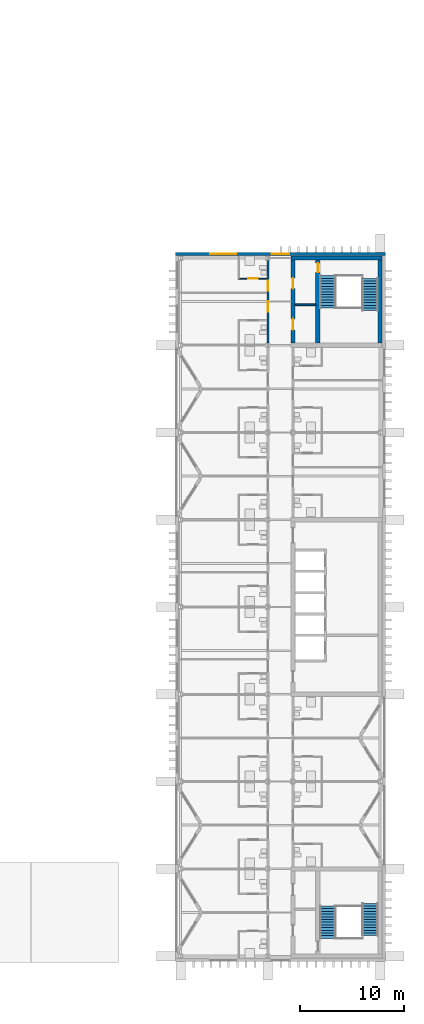
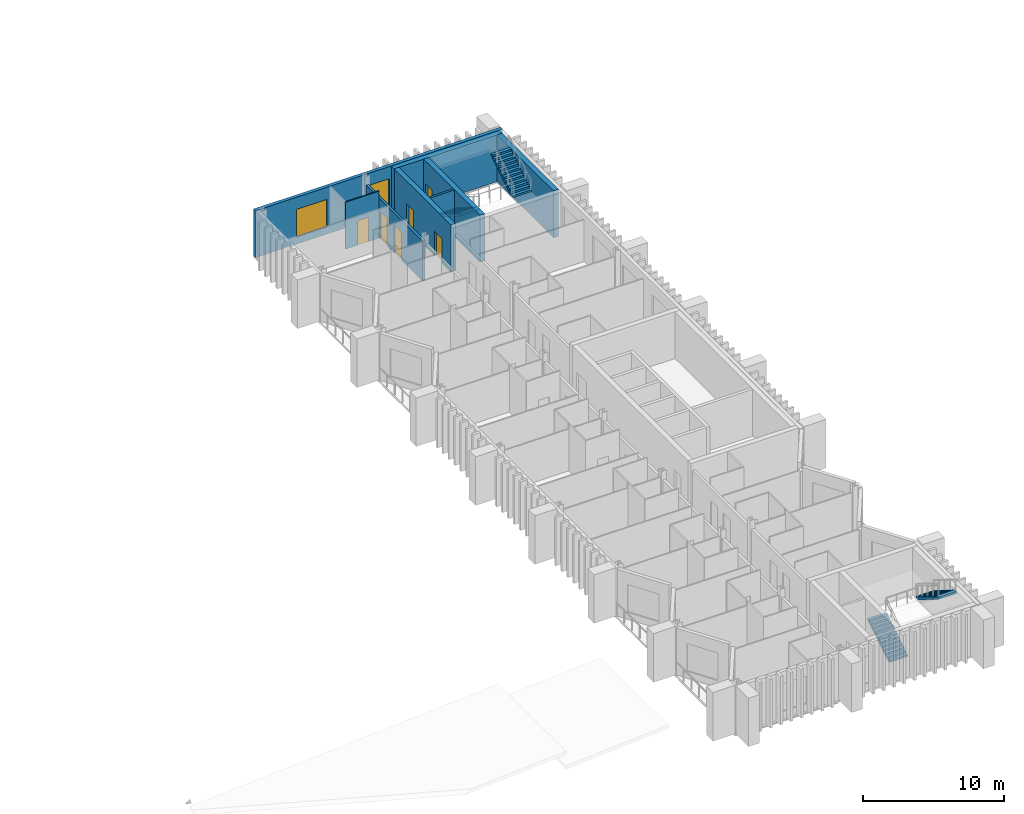
# One storey, part 16 of 21: 8 walls, 6 doors, 4 stair flights, 2 windows, 8 openings, 2 elements without a shape of their own.
"""IFC4 building model written with IfcOpenShell, lengths in metres."""

from ifc_helpers import new_model, si_unit, direction, frame, frame_2d, origin, place, context, subcontext, project, spatial, polyline, rectangle, outline, extrude, material, layer, layer_set, type_object, element, fill, aggregate, save


model = new_model("IFC4")

# Units and contexts
model_context = context("Model", 3, precision=1e-05, world=origin(), true_north=direction((0.0, 1.0)))
body_context = subcontext(model_context, "Body", "Model", "MODEL_VIEW")
ifc_project = project(units=[si_unit("LENGTHUNIT", "METRE"), si_unit("AREAUNIT", "SQUARE_METRE"), si_unit("VOLUMEUNIT", "CUBIC_METRE"), si_unit("PLANEANGLEUNIT", "RADIAN"), si_unit("MASSUNIT", "GRAM", prefix="KILO")], contexts=[model_context])

# Site, building, storey
site_placement = place(None, origin())
site = spatial("IfcSite", under=ifc_project, at=site_placement, CompositionType="ELEMENT")
building_placement = place(site_placement, origin())
building = spatial("IfcBuilding", under=site, at=building_placement, Name="Cresset Court Congress Hotel", CompositionType="ELEMENT")
storey_placement = place(building_placement, frame((0.0, 0.0, 22.800048828125)))
storey = spatial("IfcBuildingStorey", under=building, at=storey_placement, Name="L05", CompositionType="ELEMENT", Elevation=22.800048828125)

# Wall, openings, doors
ifc_material_1 = material(Name="Gypsum board partition")
ifc_layer_1 = layer(ifc_material_1, 0.199951171875)
ifc_layer_set_1 = layer_set([ifc_layer_1], Name="Corridor wall 200")
wall_type_1 = type_object("IfcWallType", Name="Corridor wall 200", PredefinedType="PARTITIONING", material=ifc_layer_set_1)
wall_1_placement = place(storey_placement, frame((165.60009765625, 59.0, 0.0), z_axis=(0.0, 0.0, 1.0), x_axis=(0.0, 1.0, 0.0)))
wall_1 = element("IfcWall", 1, at=wall_1_placement, inside=storey, type_object=wall_type_1, Name="A.wl.L05.077", PredefinedType="PARTITIONING", context=body_context, shape_type="SweptSolid", body=[
    extrude(rectangle(XDim=8.0, YDim=0.199951171875, at=frame_2d((4.0, 0.0))), origin(), (0.0, 0.0, 1.0), 3.449951171875),
])
opening_1_placement = place(wall_1_placement, frame((3.02001953125, 0.0, 0.0)))
opening_1 = element("IfcOpeningElement", 2, at=opening_1_placement, cuts=wall_1, Name="Opening DA-05-30", PredefinedType="OPENING", context=body_context, shape_type="SweptSolid", body=[
    extrude(rectangle(XDim=1.0, YDim=2.39990234375, at=frame_2d((0.5, 1.199951171875))), frame((0.0, 0.10986328125, 0.0), z_axis=(0.0, -1.0, 0.0), x_axis=(1.0, 0.0, 0.0)), (0.0, 0.0, 1.0), 0.219970703125),
])
opening_2_placement = place(wall_1_placement, frame((5.02001953125, 0.0, 0.0)))
opening_2 = element("IfcOpeningElement", 3, at=opening_2_placement, cuts=wall_1, Name="Opening DA-05-32", PredefinedType="OPENING", context=body_context, shape_type="SweptSolid", body=[
    extrude(rectangle(XDim=1.0, YDim=2.39990234375, at=frame_2d((0.5, 1.199951171875))), frame((0.0, 0.10986328125, 0.0), z_axis=(0.0, -1.0, 0.0), x_axis=(1.0, 0.0, 0.0)), (0.0, 0.0, 1.0), 0.219970703125),
])
ifc_material_2 = material(Name="timber", Category="wood")
door_type_1 = type_object("IfcDoorType", Name="Guest-room entry door 1000x2400 FD30S", OperationType="SINGLE_SWING_LEFT", PredefinedType="DOOR", material=ifc_material_2)
door_1_placement = place(opening_1_placement, origin())
door_1 = element("IfcDoor", 4, at=door_1_placement, inside=storey, type_object=door_type_1, Name="Door DA-05-30", OperationType="SINGLE_SWING_RIGHT", OverallHeight=2.39990234375, OverallWidth=1.0, PredefinedType="DOOR", context=body_context, shape_type="SweptSolid", body=[
    extrude(rectangle(XDim=1.0, YDim=2.39990234375, at=frame_2d((0.5, 1.199951171875))), frame((0.0, 0.02490234375, 0.0), z_axis=(0.0, -1.0, 0.0), x_axis=(1.0, 0.0, 0.0)), (0.0, 0.0, 1.0), 0.050048828125),
])
fill(opening_1, door_1)
door_2_placement = place(opening_2_placement, origin())
door_2 = element("IfcDoor", 5, at=door_2_placement, inside=storey, type_object=door_type_1, Name="Door DA-05-32", OperationType="SINGLE_SWING_LEFT", OverallHeight=2.39990234375, OverallWidth=1.0, PredefinedType="DOOR", context=body_context, shape_type="SweptSolid", body=[
    extrude(rectangle(XDim=1.0, YDim=2.39990234375, at=frame_2d((0.5, 1.199951171875))), frame((0.0, 0.02490234375, 0.0), z_axis=(0.0, -1.0, 0.0), x_axis=(1.0, 0.0, 0.0)), (0.0, 0.0, 1.0), 0.050048828125),
])
fill(opening_2, door_2)

# Wall, opening, door
ifc_material_3 = material(Name="Gypsum board partition")
ifc_layer_2 = layer(ifc_material_3, 0.10009765625)
ifc_layer_set_2 = layer_set([ifc_layer_2], Name="En-suite wall 100")
wall_type_2 = type_object("IfcWallType", Name="En-suite wall 100", PredefinedType="PARTITIONING", material=ifc_layer_set_2)
wall_2_placement = place(storey_placement, frame((162.75, 65.199951171875, 0.0), z_axis=(0.0, 0.0, 1.0), x_axis=(1.0, 0.0, 0.0)))
wall_2 = element("IfcWall", 6, at=wall_2_placement, inside=storey, type_object=wall_type_2, Name="A.wl.L05.032", PredefinedType="PARTITIONING", context=body_context, shape_type="SweptSolid", body=[
    extrude(rectangle(XDim=2.75, YDim=0.10009765625, at=frame_2d((1.375, 0.0))), origin(), (0.0, 0.0, 1.0), 4.050048828125),
])
opening_3_placement = place(wall_2_placement, frame((0.97998046875, 0.0, 0.0)))
opening_3 = element("IfcOpeningElement", 7, at=opening_3_placement, cuts=wall_2, Name="Opening DA-05-31", PredefinedType="OPENING", context=body_context, shape_type="SweptSolid", body=[
    extrude(rectangle(XDim=0.89990234375, YDim=2.10009765625, at=frame_2d((0.449951171875, 1.050048828125))), frame((0.0, 0.06005859375, 0.0), z_axis=(0.0, -1.0, 0.0), x_axis=(1.0, 0.0, 0.0)), (0.0, 0.0, 1.0), 0.1201171875),
])
ifc_material_4 = material(Name="timber", Category="wood")
door_type_2 = type_object("IfcDoorType", Name="En-suite door 900x2100", OperationType="SINGLE_SWING_LEFT", PredefinedType="DOOR", material=ifc_material_4)
door_3_placement = place(opening_3_placement, origin())
door_3 = element("IfcDoor", 8, at=door_3_placement, inside=storey, type_object=door_type_2, Name="Door DA-05-31", OperationType="SINGLE_SWING_LEFT", OverallHeight=2.10009765625, OverallWidth=0.89990234375, PredefinedType="DOOR", context=body_context, shape_type="SweptSolid", body=[
    extrude(rectangle(XDim=0.89990234375, YDim=2.10009765625, at=frame_2d((0.449951171875, 1.050048828125))), frame((0.0, 0.02490234375, 0.0), z_axis=(0.0, -1.0, 0.0), x_axis=(1.0, 0.0, 0.0)), (0.0, 0.0, 1.0), 0.050048828125),
])
fill(opening_3, door_3)

# Wall, openings, windows
ifc_material_5 = material(Name="Precast concrete C50", Category="concrete")
ifc_layer_3 = layer(ifc_material_5, 0.280029296875)
ifc_layer_set_3 = layer_set([ifc_layer_3], Name="Gable end wall 280")
wall_type_3 = type_object("IfcWallType", Name="Gable end wall 280", PredefinedType="SOLIDWALL", material=ifc_layer_set_3)
wall_3_placement = place(storey_placement, frame((156.699951171875, 67.56005859375, 0.0), z_axis=(0.0, 0.0, 1.0), x_axis=(1.0, 0.0, 0.0)))
wall_3 = element("IfcWall", 9, at=wall_3_placement, inside=storey, type_object=wall_type_3, Name="A.ew.L05.N.1", PredefinedType="SOLIDWALL", context=body_context, shape_type="SweptSolid", body=[
    extrude(rectangle(XDim=20.199951171875, YDim=0.280029296875, at=frame_2d((10.10009765625, 0.0))), origin(), (0.0, 0.0, 1.0), 4.050048828125),
])
opening_4_placement = place(wall_3_placement, frame((9.260009765625, 0.0, 0.60009765625)))
opening_4 = element("IfcOpeningElement", 10, at=opening_4_placement, cuts=wall_3, Name="Opening NA-05-27", PredefinedType="OPENING", context=body_context, shape_type="SweptSolid", body=[
    extrude(rectangle(XDim=1.679931640625, YDim=2.39990234375, at=frame_2d((0.83984375, 1.199951171875))), frame((0.0, 0.14990234375, 0.0), z_axis=(0.0, -1.0, 0.0), x_axis=(1.0, 0.0, 0.0)), (0.0, 0.0, 1.0), 0.300048828125),
])
opening_5_placement = place(wall_3_placement, frame((3.340087890625, 0.0, 0.60009765625)))
opening_5 = element("IfcOpeningElement", 11, at=opening_5_placement, cuts=wall_3, Name="Opening NA-05-28", PredefinedType="OPENING", context=body_context, shape_type="SweptSolid", body=[
    extrude(rectangle(XDim=2.52001953125, YDim=2.39990234375, at=frame_2d((1.260009765625, 1.199951171875))), frame((0.0, 0.14990234375, 0.0), z_axis=(0.0, -1.0, 0.0), x_axis=(1.0, 0.0, 0.0)), (0.0, 0.0, 1.0), 0.300048828125),
])
ifc_material_6 = material(Name="Aluminium and glass", Category="aluminium")
window_type_1 = type_object("IfcWindowType", Name="Window 1680x2400", PartitioningType="SINGLE_PANEL", PredefinedType="WINDOW", material=ifc_material_6)
window_1_placement = place(opening_4_placement, origin())
window_1 = element("IfcWindow", 12, at=window_1_placement, inside=storey, type_object=window_type_1, Name="Window NA-05-27", OverallHeight=2.39990234375, OverallWidth=1.679931640625, PartitioningType="SINGLE_PANEL", PredefinedType="WINDOW", context=body_context, shape_type="SweptSolid", body=[
    extrude(rectangle(XDim=1.679931640625, YDim=2.39990234375, at=frame_2d((0.83984375, 1.199951171875))), frame((0.0, 0.030029296875, 0.0), z_axis=(0.0, -1.0, 0.0), x_axis=(1.0, 0.0, 0.0)), (0.0, 0.0, 1.0), 0.06005859375),
])
fill(opening_4, window_1)
ifc_material_7 = material(Name="Aluminium and glass", Category="aluminium")
window_type_2 = type_object("IfcWindowType", Name="Window 2520x2400", PartitioningType="SINGLE_PANEL", PredefinedType="WINDOW", material=ifc_material_7)
window_2_placement = place(opening_5_placement, origin())
window_2 = element("IfcWindow", 13, at=window_2_placement, inside=storey, type_object=window_type_2, Name="Window NA-05-28", OverallHeight=2.39990234375, OverallWidth=2.52001953125, PartitioningType="SINGLE_PANEL", PredefinedType="WINDOW", context=body_context, shape_type="SweptSolid", body=[
    extrude(rectangle(XDim=2.52001953125, YDim=2.39990234375, at=frame_2d((1.260009765625, 1.199951171875))), frame((0.0, 0.030029296875, 0.0), z_axis=(0.0, -1.0, 0.0), x_axis=(1.0, 0.0, 0.0)), (0.0, 0.0, 1.0), 0.06005859375),
])
fill(opening_5, window_2)

# Walls
ifc_material_8 = material(Name="Concrete block wall", Category="concrete")
ifc_layer_4 = layer(ifc_material_8, 0.175048828125)
ifc_layer_set_4 = layer_set([ifc_layer_4], Name="Riser shaft wall 175")
wall_type_4 = type_object("IfcWallType", Name="Riser shaft wall 175", PredefinedType="PARTITIONING", material=ifc_layer_set_4)
wall_4_placement = place(storey_placement, frame((168.199951171875, 62.699951171875, 0.0), z_axis=(0.0, 0.0, 1.0), x_axis=(1.0, 0.0, 0.0)))
element("IfcWall", 14, at=wall_4_placement, inside=storey, type_object=wall_type_4, Name="A.wl.L05.085", PredefinedType="PARTITIONING", context=body_context, shape_type="SweptSolid", body=[
    extrude(rectangle(XDim=2.0, YDim=0.175048828125, at=frame_2d((1.0, 0.0))), origin(), (0.0, 0.0, 1.0), 4.050048828125),
])
ifc_material_9 = material(Name="Concrete C50", Category="concrete")
ifc_layer_5 = layer(ifc_material_9, 0.39990234375)
ifc_layer_set_5 = layer_set([ifc_layer_5], Name="Stair core wall 400")
wall_type_5 = type_object("IfcWallType", Name="Stair core wall 400", PredefinedType="SOLIDWALL", material=ifc_layer_set_5)
wall_5_placement = place(storey_placement, frame((167.800048828125, 67.199951171875, 0.0), z_axis=(0.0, 0.0, 1.0), x_axis=(1.0, 0.0, 0.0)))
element("IfcWall", 15, at=wall_5_placement, inside=storey, type_object=wall_type_5, Name="A.cw.ST-A2.L05.N", PredefinedType="SOLIDWALL", context=body_context, shape_type="SweptSolid", body=[
    extrude(rectangle(XDim=8.800048828125, YDim=0.39990234375, at=frame_2d((4.39990234375, 0.0))), origin(), (0.0, 0.0, 1.0), 4.050048828125),
])

# Wall, openings, doors
wall_6_placement = place(storey_placement, frame((168.0, 59.0, 0.0), z_axis=(0.0, 0.0, 1.0), x_axis=(0.0, 1.0, 0.0)))
wall_6 = element("IfcWall", 16, at=wall_6_placement, inside=storey, type_object=wall_type_5, Name="A.cw.ST-A2.L05.W", PredefinedType="SOLIDWALL", context=body_context, shape_type="SweptSolid", body=[
    extrude(rectangle(XDim=8.0, YDim=0.39990234375, at=frame_2d((4.0, 0.0))), origin(), (0.0, 0.0, 1.0), 4.050048828125),
])
opening_6_placement = place(wall_6_placement, frame((5.25, 0.0, 0.0)))
opening_6 = element("IfcOpeningElement", 17, at=opening_6_placement, cuts=wall_6, Name="Opening DA-05-53", PredefinedType="OPENING", context=body_context, shape_type="SweptSolid", body=[
    extrude(rectangle(XDim=1.0, YDim=2.10009765625, at=frame_2d((0.5, 1.050048828125))), frame((0.0, 0.2099609375, 0.0), z_axis=(0.0, -1.0, 0.0), x_axis=(1.0, 0.0, 0.0)), (0.0, 0.0, 1.0), 0.419921875),
])
opening_7_placement = place(wall_6_placement, frame((1.27490234375, 0.0, 0.0)))
opening_7 = element("IfcOpeningElement", 18, at=opening_7_placement, cuts=wall_6, Name="Opening DA-05-54", PredefinedType="OPENING", context=body_context, shape_type="SweptSolid", body=[
    extrude(rectangle(XDim=1.050048828125, YDim=2.10009765625, at=frame_2d((0.52490234375, 1.050048828125))), frame((0.0, 0.2099609375, 0.0), z_axis=(0.0, -1.0, 0.0), x_axis=(1.0, 0.0, 0.0)), (0.0, 0.0, 1.0), 0.419921875),
])
ifc_material_10 = material(Name="steel", Category="steel")
door_type_3 = type_object("IfcDoorType", Name="Housekeeping room door 1050x2100 FD30", OperationType="SINGLE_SWING_LEFT", PredefinedType="DOOR", material=ifc_material_10)
door_4_placement = place(opening_7_placement, origin())
door_4 = element("IfcDoor", 19, at=door_4_placement, inside=storey, type_object=door_type_3, Name="Door DA-05-54", OperationType="SINGLE_SWING_RIGHT", OverallHeight=2.10009765625, OverallWidth=1.050048828125, PredefinedType="DOOR", context=body_context, shape_type="SweptSolid", body=[
    extrude(rectangle(XDim=1.050048828125, YDim=2.10009765625, at=frame_2d((0.52490234375, 1.050048828125))), frame((0.0, 0.02490234375, 0.0), z_axis=(0.0, -1.0, 0.0), x_axis=(1.0, 0.0, 0.0)), (0.0, 0.0, 1.0), 0.050048828125),
])
fill(opening_7, door_4)
ifc_material_11 = material(Name="steel", Category="steel")
door_type_4 = type_object("IfcDoorType", Name="Lobby door 1000x2100 FD60", OperationType="SINGLE_SWING_LEFT", PredefinedType="DOOR", material=ifc_material_11)
door_5_placement = place(opening_6_placement, origin())
door_5 = element("IfcDoor", 20, at=door_5_placement, inside=storey, type_object=door_type_4, Name="Door DA-05-53", OperationType="SINGLE_SWING_LEFT", OverallHeight=2.10009765625, OverallWidth=1.0, PredefinedType="DOOR", context=body_context, shape_type="SweptSolid", body=[
    extrude(rectangle(XDim=1.0, YDim=2.10009765625, at=frame_2d((0.5, 1.050048828125))), frame((0.0, 0.02490234375, 0.0), z_axis=(0.0, -1.0, 0.0), x_axis=(1.0, 0.0, 0.0)), (0.0, 0.0, 1.0), 0.050048828125),
])
fill(opening_6, door_5)

# Wall
wall_7_placement = place(storey_placement, frame((176.39990234375, 59.0, 0.0), z_axis=(0.0, 0.0, 1.0), x_axis=(0.0, 1.0, 0.0)))
element("IfcWall", 21, at=wall_7_placement, inside=storey, type_object=wall_type_5, Name="A.cw.ST-A2.L05.E", PredefinedType="SOLIDWALL", context=body_context, shape_type="SweptSolid", body=[
    extrude(rectangle(XDim=8.0, YDim=0.39990234375, at=frame_2d((4.0, 0.0))), origin(), (0.0, 0.0, 1.0), 4.050048828125),
])

# Wall, opening, door
wall_8_placement = place(storey_placement, frame((170.39990234375, 59.0, 0.0), z_axis=(0.0, 0.0, 1.0), x_axis=(0.0, 1.0, 0.0)))
wall_8 = element("IfcWall", 22, at=wall_8_placement, inside=storey, type_object=wall_type_5, Name="A.wl.L05.084", PredefinedType="SOLIDWALL", context=body_context, shape_type="SweptSolid", body=[
    extrude(rectangle(XDim=8.0, YDim=0.39990234375, at=frame_2d((4.0, 0.0))), origin(), (0.0, 0.0, 1.0), 4.050048828125),
])
opening_8_placement = place(wall_8_placement, frame((6.800048828125, 0.0, 0.0)))
opening_8 = element("IfcOpeningElement", 23, at=opening_8_placement, cuts=wall_8, Name="Opening DA-05-52", PredefinedType="OPENING", context=body_context, shape_type="SweptSolid", body=[
    extrude(rectangle(XDim=0.89990234375, YDim=2.10009765625, at=frame_2d((0.449951171875, 1.050048828125))), frame((0.0, 0.2099609375, 0.0), z_axis=(0.0, -1.0, 0.0), x_axis=(1.0, 0.0, 0.0)), (0.0, 0.0, 1.0), 0.419921875),
])
ifc_material_12 = material(Name="steel", Category="steel")
door_type_5 = type_object("IfcDoorType", Name="Stair door 900x2100 FD60", OperationType="SINGLE_SWING_LEFT", PredefinedType="DOOR", material=ifc_material_12)
door_6_placement = place(opening_8_placement, origin())
door_6 = element("IfcDoor", 24, at=door_6_placement, inside=storey, type_object=door_type_5, Name="Door DA-05-52", OperationType="SINGLE_SWING_RIGHT", OverallHeight=2.10009765625, OverallWidth=0.89990234375, PredefinedType="DOOR", context=body_context, shape_type="SweptSolid", body=[
    extrude(rectangle(XDim=0.89990234375, YDim=2.10009765625, at=frame_2d((0.449951171875, 1.050048828125))), frame((0.0, 0.02490234375, 0.0), z_axis=(0.0, -1.0, 0.0), x_axis=(1.0, 0.0, 0.0)), (0.0, 0.0, 1.0), 0.050048828125),
])
fill(opening_8, door_6)

# Stair, stair flights
ifc_material_13 = material(Name="Concrete C40", Category="concrete")
stair_type = type_object("IfcStairType", Name="Concrete dog-leg stair 5600", PredefinedType="HALF_TURN_STAIR", material=ifc_material_13)
stair_1_placement = place(storey_placement, origin())
stair_1 = element("IfcStair", 25, at=stair_1_placement, inside=storey, type_object=stair_type, Name="Stair A1 L05", PredefinedType="HALF_TURN_STAIR")
ifc_material_14 = material(Name="Concrete C40", Category="concrete")
stair_flight_type = type_object("IfcStairFlightType", Name="Concrete stair flight", PredefinedType="STRAIGHT", material=ifc_material_14)
stair_flight_1_placement = place(storey_placement, frame((171.35009765625, 1.699951171875, 0.0), z_axis=(0.0, 0.0, 1.0), x_axis=(0.0, 1.0, 0.0)))
stair_flight_1 = element("IfcStairFlight", 26, at=stair_flight_1_placement, type_object=stair_flight_type, Name="A-ST1 flight 1", NumberOfRisers=13, NumberOfTreads=12, PredefinedType="STRAIGHT", RiserHeight=0.161538462, TreadLength=0.26, context=body_context, shape_type="SweptSolid", body=[
    extrude(outline(polyline([(0.0, 0.0), (0.0, 0.16162109375), (0.260009765625, 0.16162109375), (0.260009765625, 0.322998046875), (0.52001953125, 0.322998046875), (0.52001953125, 0.484619140625), (0.780029296875, 0.484619140625), (0.780029296875, 0.646240234375), (1.0400390625, 0.646240234375), (1.0400390625, 0.8076171875), (1.300048828125, 0.8076171875), (1.300048828125, 0.96923828125), (1.56005859375, 0.96923828125), (1.56005859375, 1.130859375), (1.820068359375, 1.130859375), (1.820068359375, 1.292236328125), (2.080078125, 1.292236328125), (2.080078125, 1.453857421875), (2.340087890625, 1.453857421875), (2.340087890625, 1.615478515625), (2.60009765625, 1.615478515625), (2.60009765625, 1.77685546875), (2.860107421875, 1.77685546875), (2.860107421875, 1.9384765625), (3.1201171875, 1.9384765625), (3.1201171875, 2.10009765625), (3.1201171875, 1.761962890625), (0.283935546875, 0.0), (0.0, 0.0)])), frame((0.0, 0.75, 0.0), z_axis=(0.0, -1.0, 0.0), x_axis=(1.0, 0.0, 0.0)), (0.0, 0.0, 1.0), 1.5),
])
stair_flight_2_placement = place(storey_placement, frame((175.449951171875, 5.080078125, 2.099853515625), z_axis=(0.0, 0.0, 1.0), x_axis=(0.0, -1.0, 0.0)))
stair_flight_2 = element("IfcStairFlight", 27, at=stair_flight_2_placement, type_object=stair_flight_type, Name="A-ST1 flight 2", NumberOfRisers=13, NumberOfTreads=12, PredefinedType="STRAIGHT", RiserHeight=0.161538462, TreadLength=0.26, context=body_context, shape_type="SweptSolid", body=[
    extrude(outline(polyline([(0.0, 0.0), (0.0, 0.16162109375), (0.260009765625, 0.16162109375), (0.260009765625, 0.322998046875), (0.52001953125, 0.322998046875), (0.52001953125, 0.484619140625), (0.780029296875, 0.484619140625), (0.780029296875, 0.646240234375), (1.0400390625, 0.646240234375), (1.0400390625, 0.8076171875), (1.300048828125, 0.8076171875), (1.300048828125, 0.96923828125), (1.56005859375, 0.96923828125), (1.56005859375, 1.130859375), (1.820068359375, 1.130859375), (1.820068359375, 1.292236328125), (2.080078125, 1.292236328125), (2.080078125, 1.453857421875), (2.340087890625, 1.453857421875), (2.340087890625, 1.615478515625), (2.60009765625, 1.615478515625), (2.60009765625, 1.77685546875), (2.860107421875, 1.77685546875), (2.860107421875, 1.9384765625), (3.1201171875, 1.9384765625), (3.1201171875, 2.10009765625), (3.1201171875, 1.761962890625), (0.283935546875, 0.0), (0.0, 0.0)])), frame((0.0, 0.75, 0.0), z_axis=(0.0, -1.0, 0.0), x_axis=(1.0, 0.0, 0.0)), (0.0, 0.0, 1.0), 1.5),
])
aggregate(stair_1, [stair_flight_1, stair_flight_2])

stair_2_placement = place(storey_placement, origin())
stair_2 = element("IfcStair", 28, at=stair_2_placement, inside=storey, type_object=stair_type, Name="Stair A2 L05", PredefinedType="HALF_TURN_STAIR")
stair_flight_3_placement = place(storey_placement, frame((171.35009765625, 65.5, 0.0), z_axis=(0.0, 0.0, 1.0), x_axis=(0.0, -1.0, 0.0)))
stair_flight_3 = element("IfcStairFlight", 29, at=stair_flight_3_placement, type_object=stair_flight_type, Name="A-ST1 flight 1", NumberOfRisers=13, NumberOfTreads=12, PredefinedType="STRAIGHT", RiserHeight=0.161538462, TreadLength=0.26, context=body_context, shape_type="SweptSolid", body=[
    extrude(outline(polyline([(0.0, 0.0), (0.0, 0.16162109375), (0.260009765625, 0.16162109375), (0.260009765625, 0.322998046875), (0.52001953125, 0.322998046875), (0.52001953125, 0.484619140625), (0.780029296875, 0.484619140625), (0.780029296875, 0.646240234375), (1.0400390625, 0.646240234375), (1.0400390625, 0.8076171875), (1.300048828125, 0.8076171875), (1.300048828125, 0.96923828125), (1.56005859375, 0.96923828125), (1.56005859375, 1.130859375), (1.820068359375, 1.130859375), (1.820068359375, 1.292236328125), (2.080078125, 1.292236328125), (2.080078125, 1.453857421875), (2.340087890625, 1.453857421875), (2.340087890625, 1.615478515625), (2.60009765625, 1.615478515625), (2.60009765625, 1.77685546875), (2.860107421875, 1.77685546875), (2.860107421875, 1.9384765625), (3.1201171875, 1.9384765625), (3.1201171875, 2.10009765625), (3.1201171875, 1.761962890625), (0.283935546875, 0.0), (0.0, 0.0)])), frame((0.0, 0.75, 0.0), z_axis=(0.0, -1.0, 0.0), x_axis=(1.0, 0.0, 0.0)), (0.0, 0.0, 1.0), 1.5),
])
stair_flight_4_placement = place(storey_placement, frame((175.449951171875, 62.1201171875, 2.099853515625), z_axis=(0.0, 0.0, 1.0), x_axis=(0.0, 1.0, 0.0)))
stair_flight_4 = element("IfcStairFlight", 30, at=stair_flight_4_placement, type_object=stair_flight_type, Name="A-ST1 flight 2", NumberOfRisers=13, NumberOfTreads=12, PredefinedType="STRAIGHT", RiserHeight=0.161538462, TreadLength=0.26, context=body_context, shape_type="SweptSolid", body=[
    extrude(outline(polyline([(0.0, 0.0), (0.0, 0.16162109375), (0.260009765625, 0.16162109375), (0.260009765625, 0.322998046875), (0.52001953125, 0.322998046875), (0.52001953125, 0.484619140625), (0.780029296875, 0.484619140625), (0.780029296875, 0.646240234375), (1.0400390625, 0.646240234375), (1.0400390625, 0.8076171875), (1.300048828125, 0.8076171875), (1.300048828125, 0.96923828125), (1.56005859375, 0.96923828125), (1.56005859375, 1.130859375), (1.820068359375, 1.130859375), (1.820068359375, 1.292236328125), (2.080078125, 1.292236328125), (2.080078125, 1.453857421875), (2.340087890625, 1.453857421875), (2.340087890625, 1.615478515625), (2.60009765625, 1.615478515625), (2.60009765625, 1.77685546875), (2.860107421875, 1.77685546875), (2.860107421875, 1.9384765625), (3.1201171875, 1.9384765625), (3.1201171875, 2.10009765625), (3.1201171875, 1.761962890625), (0.283935546875, 0.0), (0.0, 0.0)])), frame((0.0, 0.75, 0.0), z_axis=(0.0, -1.0, 0.0), x_axis=(1.0, 0.0, 0.0)), (0.0, 0.0, 1.0), 1.5),
])
aggregate(stair_2, [stair_flight_3, stair_flight_4])

save(model, "model.ifc")
